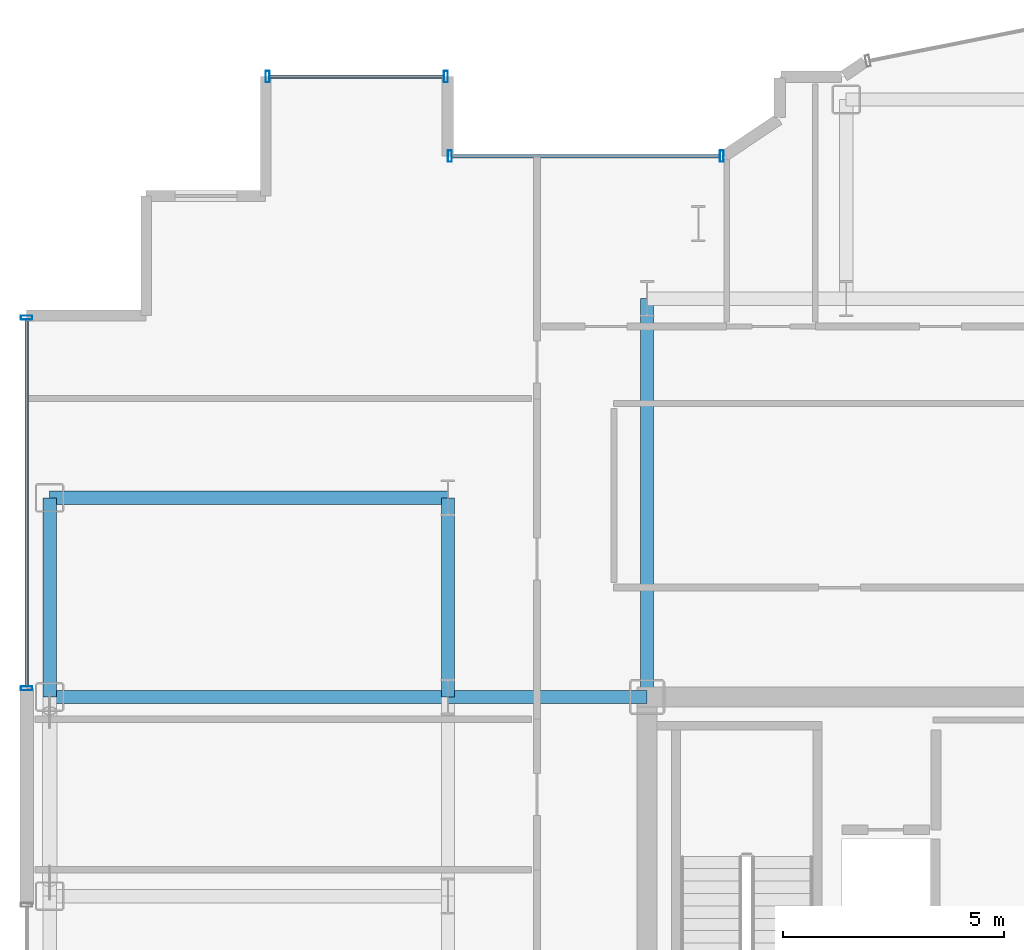
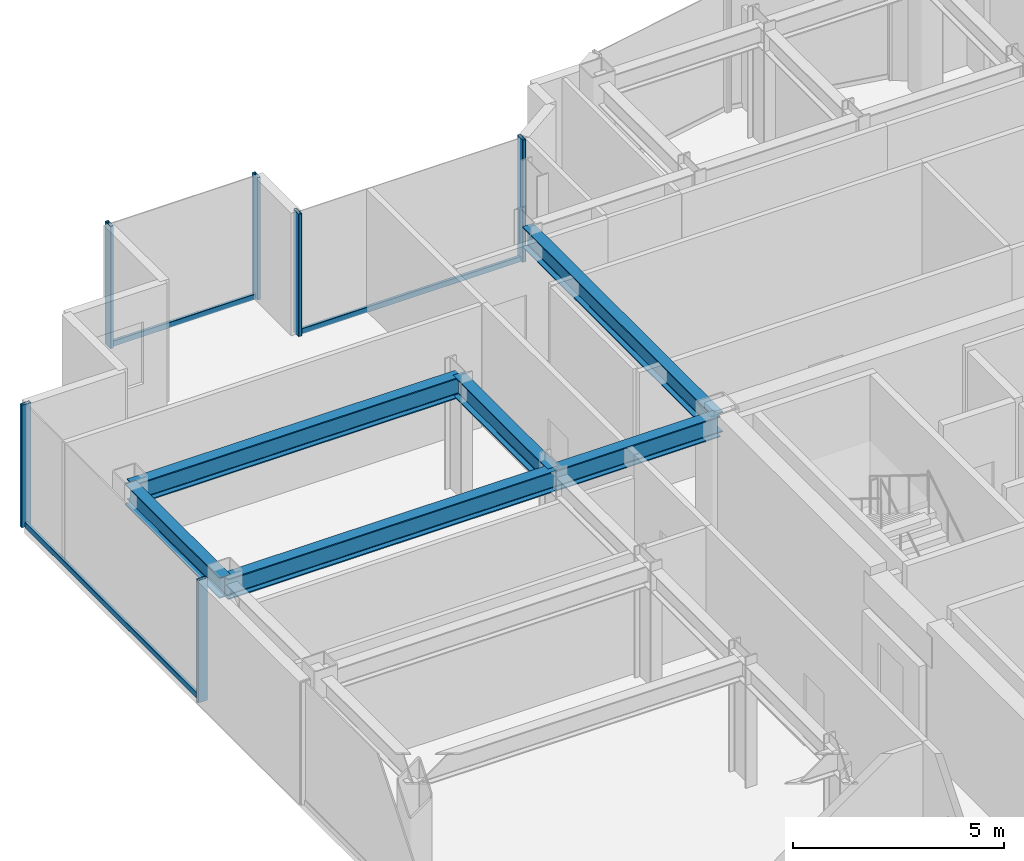
# One storey, part 9 of 21: 9 members, 6 beams, 3 elements without a shape of their own.
"""IFC4 building model written with IfcOpenShell, lengths in metres."""

from ifc_helpers import new_model, si_unit, direction, frame, origin, origin_2d, place, context, subcontext, project, spatial, hollow_rectangle, i_section, extrude, source, transform, mapped, material, layer, layer_set, material_profile, profile_set, type_object, element, aggregate, save


model = new_model("IFC4")

# Units and contexts
model_context = context("Model", 3, precision=1e-05, world=origin(), true_north=direction((0.0, 1.0)))
body_context = subcontext(model_context, "Body", "Model", "MODEL_VIEW")
ifc_project = project(units=[si_unit("LENGTHUNIT", "METRE"), si_unit("AREAUNIT", "SQUARE_METRE"), si_unit("VOLUMEUNIT", "CUBIC_METRE"), si_unit("PLANEANGLEUNIT", "RADIAN"), si_unit("MASSUNIT", "GRAM", prefix="KILO")], contexts=[model_context])

# Site, building, storey
site_placement = place(None, origin())
site = spatial("IfcSite", under=ifc_project, at=site_placement, CompositionType="ELEMENT")
building_placement = place(site_placement, origin())
building = spatial("IfcBuilding", under=site, at=building_placement, Name="Nefas-Gora Pilgrimage Tower", CompositionType="ELEMENT")
storey_placement = place(building_placement, frame((0.0, 0.0, 229.39990234375)))
storey = spatial("IfcBuildingStorey", under=building, at=storey_placement, Name="L57", CompositionType="ELEMENT", Elevation=229.39990234375)

# Beams
ifc_material_1 = material(Name="Steel S355", Category="steel")
ifc_material_profile_1 = material_profile(ifc_material_1, i_section(OverallWidth=0.300048828125, OverallDepth=0.60009765625, WebThickness=0.015380859375, FlangeThickness=0.030029296875, FilletRadius=0.027099609375, at=origin_2d()), Name="HEB 600")
ifc_profile_set_1 = profile_set([ifc_material_profile_1], Name="Steel S355")
beam_type_1 = type_object("IfcBeamType", Name="BM-SPN-HEB450", PredefinedType="SPANDREL", material=ifc_profile_set_1)
shared_shape_1 = source(origin(), body_context, "Body", "SweptSolid", [
    extrude(i_section(OverallWidth=0.300048828125, OverallDepth=0.60009765625, WebThickness=0.015380859375, FlangeThickness=0.030029296875, FilletRadius=0.027099609375, at=origin_2d()), origin(), (0.0, 0.0, 1.0), 4.5),
])
beam_placement = place(storey_placement, frame((-24.75, 9.0, 3.25), z_axis=(0.0, 1.0, 0.0), x_axis=(-1.0, 0.0, 0.0)))
element("IfcBeam", 1, at=beam_placement, inside=storey, type_object=beam_type_1, Name="L57 SP-03 beam", PredefinedType="SPANDREL", context=body_context, shape_type="MappedRepresentation", body=[
    mapped(shared_shape_1, transform((0.0, 0.0, 0.0), x_axis=(1.0, 0.0, 0.0), y_axis=(0.0, 1.0, 0.0), z_axis=(0.0, 0.0, 1.0), scale=1.0)),
])
ifc_material_profile_2 = material_profile(ifc_material_1, i_section(OverallWidth=0.300048828125, OverallDepth=0.60009765625, WebThickness=0.015380859375, FlangeThickness=0.030029296875, FilletRadius=0.027099609375, at=origin_2d()), Name="HEB 600")
ifc_profile_set_2 = profile_set([ifc_material_profile_2], Name="Steel S355")
beam_type_2 = type_object("IfcBeamType", Name="BM-GIR-HEB600", PredefinedType="BEAM", material=ifc_profile_set_2)
shared_shape_2 = source(origin(), body_context, "Body", "SweptSolid", [
    extrude(i_section(OverallWidth=0.300048828125, OverallDepth=0.60009765625, WebThickness=0.015380859375, FlangeThickness=0.030029296875, FilletRadius=0.027099609375, at=origin_2d()), origin(), (0.0, 0.0, 1.0), 9.0),
])
for number, where, z_axis, x_axis, name in (
    (2, (-24.75, 9.0, 3.25), (1.0, 0.0, 0.0), (0.0, 1.0, 0.0), "L57 G-04 beam"),
    (3, (-24.75, 13.5, 3.25), (1.0, 0.0, 0.0), (0.0, 1.0, 0.0), "L57 G-04 beam"),
    (4, (-11.25, 9.0, 3.25), (0.0, 1.0, 0.0), (-1.0, 0.0, 0.0), "L57 G-04 beam"),
):
    element("IfcBeam", number, at=place(storey_placement, frame(where, z_axis=z_axis, x_axis=x_axis)), inside=storey, type_object=beam_type_2, Name=name, PredefinedType="BEAM", context=body_context, shape_type="MappedRepresentation", body=[
        mapped(shared_shape_2, transform((0.0, 0.0, 0.0), x_axis=(1.0, 0.0, 0.0), y_axis=(0.0, 1.0, 0.0), z_axis=(0.0, 0.0, 1.0), scale=1.0)),
    ])
shared_shape_3 = source(origin(), body_context, "Body", "SweptSolid", [
    extrude(i_section(OverallWidth=0.300048828125, OverallDepth=0.60009765625, WebThickness=0.015380859375, FlangeThickness=0.030029296875, FilletRadius=0.027099609375, at=origin_2d()), origin(), (0.0, 0.0, 1.0), 4.5),
])
for number, where, z_axis, x_axis, name in (
    (5, (-15.75, 9.0, 3.25), (0.0, 1.0, 0.0), (-1.0, 0.0, 0.0), "L57 G-04 beam"),
    (6, (-15.75, 9.0, 3.25), (1.0, 0.0, 0.0), (0.0, 1.0, 0.0), "L57 G-04 beam"),
):
    element("IfcBeam", number, at=place(storey_placement, frame(where, z_axis=z_axis, x_axis=x_axis)), inside=storey, type_object=beam_type_2, Name=name, PredefinedType="BEAM", context=body_context, shape_type="MappedRepresentation", body=[
        mapped(shared_shape_3, transform((0.0, 0.0, 0.0), x_axis=(1.0, 0.0, 0.0), y_axis=(0.0, 1.0, 0.0), z_axis=(0.0, 0.0, 1.0), scale=1.0)),
    ])

# Curtain wall, members
ifc_material_2 = material(Name="Dark ceramic-fritted solar-control aluminium-glass curtain wall", Category="aluminium")
ifc_layer_1 = layer(ifc_material_2, 0.219970703125)
ifc_layer_set_1 = layer_set([ifc_layer_1], Name="Dark ceramic-fritted solar-control aluminium-glass curtain wall")
curtain_wall_type_1 = type_object("IfcCurtainWallType", Name="CW-SYS-5", PredefinedType="NOTDEFINED", material=ifc_layer_set_1)
curtain_wall_1_placement = place(storey_placement, origin())
curtain_wall_1 = element("IfcCurtainWall", 7, at=curtain_wall_1_placement, inside=storey, type_object=curtain_wall_type_1, Name="L57 Unitised Curtain Wall CW5", PredefinedType="NOTDEFINED")
ifc_material_3 = material(Name="Anodised architectural aluminium", Category="aluminium")
ifc_material_profile_3 = material_profile(ifc_material_3, hollow_rectangle(XDim=0.090087890625, YDim=0.260009765625, WallThickness=0.006103515625, InnerFilletRadius=0.006103515625, OuterFilletRadius=0.011962890625, at=origin_2d()), Name="ALU MULLION 90x260")
ifc_profile_set_3 = profile_set([ifc_material_profile_3], Name="Anodised architectural aluminium")
member_type_1 = type_object("IfcMemberType", Name="CWM-MUL-5", PredefinedType="MULLION", material=ifc_profile_set_3)
shared_shape_4 = source(origin(), body_context, "Body", "SweptSolid", [
    extrude(hollow_rectangle(XDim=0.090087890625, YDim=0.260009765625, WallThickness=0.006103515625, InnerFilletRadius=0.006103515625, OuterFilletRadius=0.011962890625, at=origin_2d()), origin(), (0.0, 0.0, 1.0), 3.550048828125),
])
member_1_placement = place(storey_placement, frame((-9.56298828125, 21.219970703125, 0.0), z_axis=(0.0, 0.0, 1.0), x_axis=(-1.0, 0.0, 0.0)))
member_1 = element("IfcMember", 8, at=member_1_placement, type_object=member_type_1, Name="CW5 Mullion 1", PredefinedType="MULLION", context=body_context, shape_type="MappedRepresentation", body=[
    mapped(shared_shape_4, transform((0.0, 0.0, 0.0), x_axis=(1.0, 0.0, 0.0), y_axis=(0.0, 1.0, 0.0), z_axis=(0.0, 0.0, 1.0), scale=1.0)),
])
member_2_placement = place(storey_placement, frame((-15.705078125, 21.219970703125, 0.0), z_axis=(0.0, 0.0, 1.0), x_axis=(-1.0, 0.0, 0.0)))
member_2 = element("IfcMember", 9, at=member_2_placement, type_object=member_type_1, Name="CW5 Mullion 2", PredefinedType="MULLION", context=body_context, shape_type="MappedRepresentation", body=[
    mapped(shared_shape_4, transform((0.0, 0.0, 0.0), x_axis=(1.0, 0.0, 0.0), y_axis=(0.0, 1.0, 0.0), z_axis=(0.0, 0.0, 1.0), scale=1.0)),
])
ifc_material_profile_4 = material_profile(ifc_material_3, hollow_rectangle(XDim=0.080078125, YDim=0.159912109375, WallThickness=0.00439453125, InnerFilletRadius=0.00439453125, OuterFilletRadius=0.009033203125, at=origin_2d()), Name="ALU TRANSOM 80x160")
ifc_profile_set_4 = profile_set([ifc_material_profile_4], Name="Anodised architectural aluminium")
member_type_2 = type_object("IfcMemberType", Name="CWM-TRN-5", PredefinedType="USERDEFINED", material=ifc_profile_set_4)
shared_shape_5 = source(origin(), body_context, "Body", "SweptSolid", [
    extrude(hollow_rectangle(XDim=0.080078125, YDim=0.159912109375, WallThickness=0.00439453125, InnerFilletRadius=0.00439453125, OuterFilletRadius=0.009033203125, at=origin_2d()), origin(), (0.0, 0.0, 1.0), 6.052001953125),
])
member_3_placement = place(storey_placement, frame((-9.60791015625, 21.219970703125, 0.050048828125), z_axis=(-1.0, 0.0, 0.0), x_axis=(0.0, -1.0, 0.0)))
member_3 = element("IfcMember", 10, at=member_3_placement, type_object=member_type_2, Name="CW5 Spandrel Transom", ObjectType="TRANSOM", PredefinedType="USERDEFINED", context=body_context, shape_type="MappedRepresentation", body=[
    mapped(shared_shape_5, transform((0.0, 0.0, 0.0), x_axis=(1.0, 0.0, 0.0), y_axis=(0.0, 1.0, 0.0), z_axis=(0.0, 0.0, 1.0), scale=1.0)),
])
aggregate(curtain_wall_1, [member_1, member_2, member_3])

ifc_layer_2 = layer(ifc_material_2, 0.219970703125)
ifc_layer_set_2 = layer_set([ifc_layer_2], Name="Dark ceramic-fritted solar-control aluminium-glass curtain wall")
curtain_wall_type_2 = type_object("IfcCurtainWallType", Name="CW-SYS-3", PredefinedType="NOTDEFINED", material=ifc_layer_set_2)
curtain_wall_2_placement = place(storey_placement, origin())
curtain_wall_2 = element("IfcCurtainWall", 11, at=curtain_wall_2_placement, inside=storey, type_object=curtain_wall_type_2, Name="L57 Unitised Curtain Wall CW3", PredefinedType="NOTDEFINED")
ifc_material_profile_5 = material_profile(ifc_material_3, hollow_rectangle(XDim=0.090087890625, YDim=0.260009765625, WallThickness=0.006103515625, InnerFilletRadius=0.006103515625, OuterFilletRadius=0.011962890625, at=origin_2d()), Name="ALU MULLION 90x260")
ifc_profile_set_5 = profile_set([ifc_material_profile_5], Name="Anodised architectural aluminium")
member_type_3 = type_object("IfcMemberType", Name="CWM-MUL-3", PredefinedType="MULLION", material=ifc_profile_set_5)
shared_shape_6 = source(origin(), body_context, "Body", "SweptSolid", [
    extrude(hollow_rectangle(XDim=0.090087890625, YDim=0.260009765625, WallThickness=0.006103515625, InnerFilletRadius=0.006103515625, OuterFilletRadius=0.011962890625, at=origin_2d()), origin(), (0.0, 0.0, 1.0), 3.550048828125),
])
member_4_placement = place(storey_placement, frame((-15.794921875, 23.02001953125, 0.0), z_axis=(0.0, 0.0, 1.0), x_axis=(-1.0, 0.0, 0.0)))
member_4 = element("IfcMember", 12, at=member_4_placement, type_object=member_type_3, Name="CW3 Mullion 1", PredefinedType="MULLION", context=body_context, shape_type="MappedRepresentation", body=[
    mapped(shared_shape_6, transform((0.0, 0.0, 0.0), x_axis=(1.0, 0.0, 0.0), y_axis=(0.0, 1.0, 0.0), z_axis=(0.0, 0.0, 1.0), scale=1.0)),
])
member_5_placement = place(storey_placement, frame((-19.824951171875, 23.02001953125, 0.0), z_axis=(0.0, 0.0, 1.0), x_axis=(-1.0, 0.0, 0.0)))
member_5 = element("IfcMember", 13, at=member_5_placement, type_object=member_type_3, Name="CW3 Mullion 2", PredefinedType="MULLION", context=body_context, shape_type="MappedRepresentation", body=[
    mapped(shared_shape_6, transform((0.0, 0.0, 0.0), x_axis=(1.0, 0.0, 0.0), y_axis=(0.0, 1.0, 0.0), z_axis=(0.0, 0.0, 1.0), scale=1.0)),
])

curtain_wall_3_placement = place(storey_placement, origin())
curtain_wall_3 = element("IfcCurtainWall", 14, at=curtain_wall_3_placement, inside=storey, type_object=curtain_wall_type_2, Name="L57 Unitised Curtain Wall CW3", PredefinedType="NOTDEFINED")
member_6_placement = place(storey_placement, frame((-25.27001953125, 17.574951171875, 0.0), z_axis=(0.0, 0.0, 1.0), x_axis=(0.0, -1.0, 0.0)))
member_6 = element("IfcMember", 15, at=member_6_placement, type_object=member_type_3, Name="CW3 Mullion 1", PredefinedType="MULLION", context=body_context, shape_type="MappedRepresentation", body=[
    mapped(shared_shape_6, transform((0.0, 0.0, 0.0), x_axis=(1.0, 0.0, 0.0), y_axis=(0.0, 1.0, 0.0), z_axis=(0.0, 0.0, 1.0), scale=1.0)),
])
member_7_placement = place(storey_placement, frame((-25.27001953125, 9.195068359375, 0.0), z_axis=(0.0, 0.0, 1.0), x_axis=(0.0, -1.0, 0.0)))
member_7 = element("IfcMember", 16, at=member_7_placement, type_object=member_type_3, Name="CW3 Mullion 2", PredefinedType="MULLION", context=body_context, shape_type="MappedRepresentation", body=[
    mapped(shared_shape_6, transform((0.0, 0.0, 0.0), x_axis=(1.0, 0.0, 0.0), y_axis=(0.0, 1.0, 0.0), z_axis=(0.0, 0.0, 1.0), scale=1.0)),
])
ifc_material_profile_6 = material_profile(ifc_material_3, hollow_rectangle(XDim=0.080078125, YDim=0.159912109375, WallThickness=0.00439453125, InnerFilletRadius=0.00439453125, OuterFilletRadius=0.009033203125, at=origin_2d()), Name="ALU TRANSOM 80x160")
ifc_profile_set_6 = profile_set([ifc_material_profile_6], Name="Anodised architectural aluminium")
member_type_4 = type_object("IfcMemberType", Name="CWM-TRN-3", PredefinedType="USERDEFINED", material=ifc_profile_set_6)
shared_shape_7 = source(origin(), body_context, "Body", "SweptSolid", [
    extrude(hollow_rectangle(XDim=0.080078125, YDim=0.159912109375, WallThickness=0.00439453125, InnerFilletRadius=0.00439453125, OuterFilletRadius=0.009033203125, at=origin_2d()), origin(), (0.0, 0.0, 1.0), 8.2900390625),
])
member_8_placement = place(storey_placement, frame((-25.27001953125, 17.530029296875, 0.050048828125), z_axis=(0.0, -1.0, 0.0), x_axis=(1.0, 0.0, 0.0)))
member_8 = element("IfcMember", 17, at=member_8_placement, type_object=member_type_4, Name="CW3 Spandrel Transom", ObjectType="TRANSOM", PredefinedType="USERDEFINED", context=body_context, shape_type="MappedRepresentation", body=[
    mapped(shared_shape_7, transform((0.0, 0.0, 0.0), x_axis=(1.0, 0.0, 0.0), y_axis=(0.0, 1.0, 0.0), z_axis=(0.0, 0.0, 1.0), scale=1.0)),
])
aggregate(curtain_wall_3, [member_6, member_7, member_8])

# Member
shared_shape_8 = source(origin(), body_context, "Body", "SweptSolid", [
    extrude(hollow_rectangle(XDim=0.080078125, YDim=0.159912109375, WallThickness=0.00439453125, InnerFilletRadius=0.00439453125, OuterFilletRadius=0.009033203125, at=origin_2d()), origin(), (0.0, 0.0, 1.0), 3.93994140625),
])
member_9_placement = place(storey_placement, frame((-15.840087890625, 23.02001953125, 0.050048828125), z_axis=(-1.0, 0.0, 0.0), x_axis=(0.0, -1.0, 0.0)))
member_9 = element("IfcMember", 18, at=member_9_placement, type_object=member_type_4, Name="CW3 Spandrel Transom", ObjectType="TRANSOM", PredefinedType="USERDEFINED", context=body_context, shape_type="MappedRepresentation", body=[
    mapped(shared_shape_8, transform((0.0, 0.0, 0.0), x_axis=(1.0, 0.0, 0.0), y_axis=(0.0, 1.0, 0.0), z_axis=(0.0, 0.0, 1.0), scale=1.0)),
])

aggregate(curtain_wall_2, [member_4, member_5, member_9])

save(model, "model.ifc")
